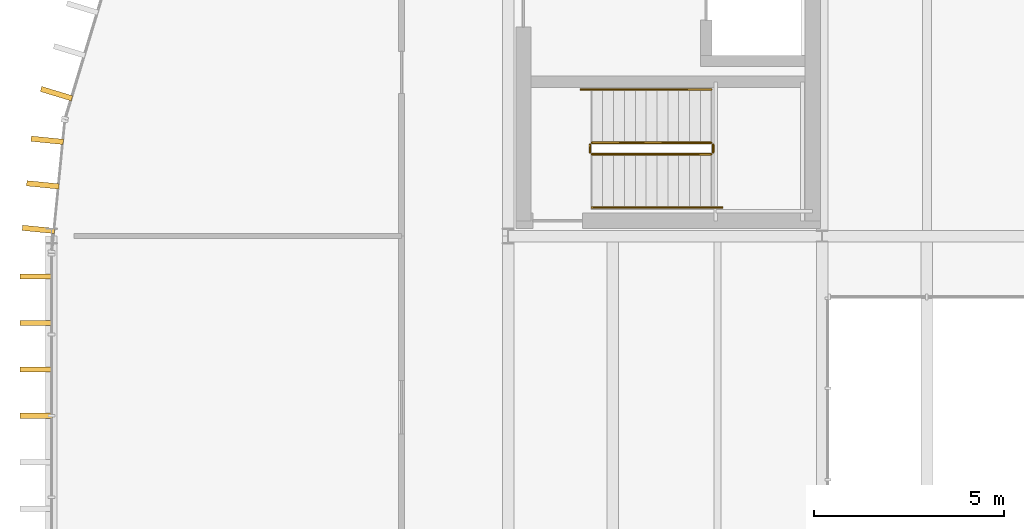
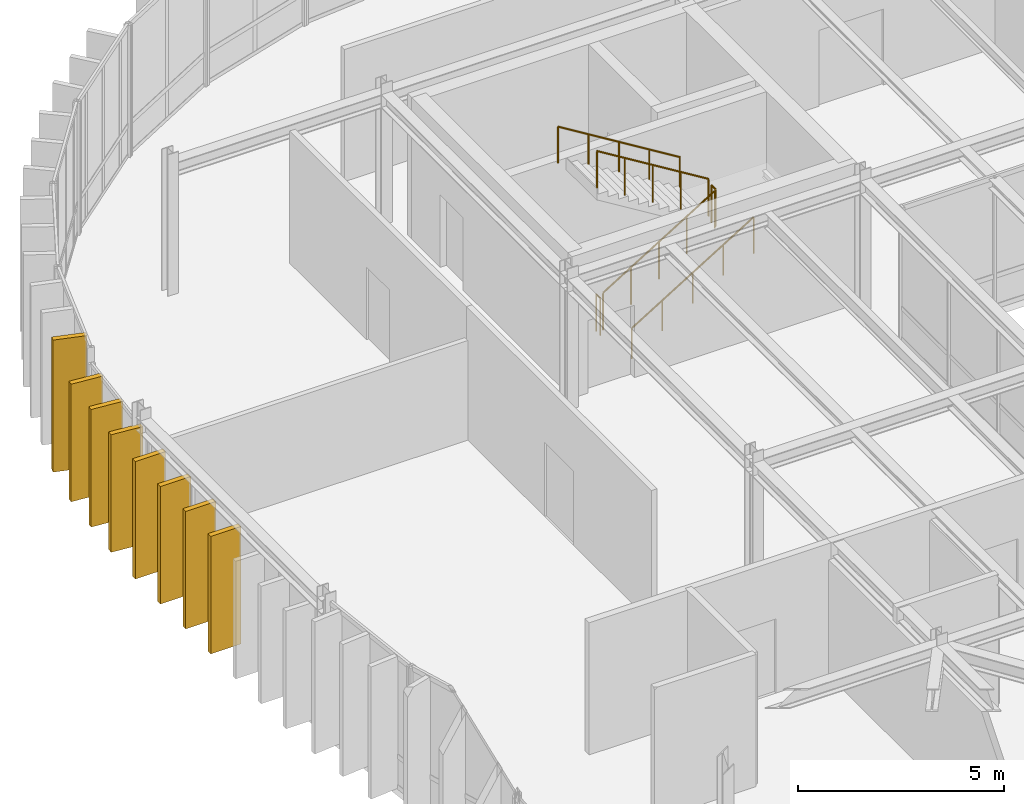
# One storey, part 24 of 27: 8 coverings, 6 railings.
"""IFC4 building model written with IfcOpenShell, lengths in metres."""

from ifc_helpers import new_model, si_unit, direction, frame, origin, origin_2d, place, context, subcontext, project, spatial, rectangle, circle, extrude, material, layer, layer_set, type_object, element, save


model = new_model("IFC4")

# Units and contexts
model_context = context("Model", 3, precision=1e-05, world=origin(), true_north=direction((0.0, 1.0)))
body_context = subcontext(model_context, "Body", "Model", "MODEL_VIEW")
ifc_project = project(units=[si_unit("LENGTHUNIT", "METRE"), si_unit("AREAUNIT", "SQUARE_METRE"), si_unit("VOLUMEUNIT", "CUBIC_METRE"), si_unit("PLANEANGLEUNIT", "RADIAN"), si_unit("MASSUNIT", "GRAM", prefix="KILO")], contexts=[model_context])

# Site, building, storey
site_placement = place(None, origin())
site = spatial("IfcSite", under=ifc_project, at=site_placement, CompositionType="ELEMENT")
building_placement = place(site_placement, origin())
building = spatial("IfcBuilding", under=site, at=building_placement, Name="Montealbar Specialist Clinic", CompositionType="ELEMENT")
storey_placement = place(building_placement, frame((0.0, 0.0, 18.0)))
storey = spatial("IfcBuildingStorey", under=building, at=storey_placement, Name="L04", CompositionType="ELEMENT", Elevation=18.0)

# Coverings
ifc_material_1 = material(Name="Thermally modified timber cladding", Category="wood")
ifc_layer_1 = layer(ifc_material_1, 0.139892578125, Name="Thermally modified timber cladding", Category="wood")
ifc_layer_set_1 = layer_set([ifc_layer_1], Name="Thermally modified timber cladding")
covering_type = type_object("IfcCoveringType", Name="COV-FIN-TIMBER-850", PredefinedType="CLADDING", material=ifc_layer_set_1)
for number, where, z_axis, x_axis, name in (
    (1, (53.60009765625, 22.27490234375, 0.0), (0.0, 0.0, 1.0), (-1.0, 0.0, 0.0), "Vertical Timber Solar Fin CF-L04-0278"),
    (2, (53.60009765625, 23.49609375, 0.0), (0.0, 0.0, 1.0), (-1.0, 0.0, 0.0), "Vertical Timber Solar Fin CF-L04-0279"),
    (3, (53.60009765625, 24.718017578125, 0.0), (0.0, 0.0, 1.0), (-1.0, 0.0, 0.0), "Vertical Timber Solar Fin CF-L04-0280"),
    (4, (53.60009765625, 25.93896484375, 0.0), (0.0, 0.0, 1.0), (-1.0, 0.0, 0.0), "Vertical Timber Solar Fin CF-L04-0281"),
    (5, (53.659912109375, 27.175048828125, 0.0), (0.0, 0.0, 1.0), (-0.995182012183, 0.098044697094, 0.0), "Vertical Timber Solar Fin CF-L04-0282"),
    (6, (53.77490234375, 28.344970703125, 0.0), (0.0, 0.0, 1.0), (-0.995182012183, 0.098044697094, 0.0), "Vertical Timber Solar Fin CF-L04-0283"),
    (7, (53.889892578125, 29.51611328125, 0.0), (0.0, 0.0, 1.0), (-0.995182012183, 0.098044697094, 0.0), "Vertical Timber Solar Fin CF-L04-0284"),
):
    element("IfcCovering", number, at=place(storey_placement, frame(where, z_axis=z_axis, x_axis=x_axis)), inside=storey, type_object=covering_type, Name=name, PredefinedType="CLADDING", context=body_context, shape_type="SweptSolid", body=[
        extrude(rectangle(XDim=0.85009765625, YDim=0.139892578125, at=origin_2d()), origin(), (0.0, 0.0, 1.0), 3.489990234375),
    ])
covering_placement = place(storey_placement, frame((54.134033203125, 30.740966796875, 0.0), z_axis=(0.0, 0.0, 1.0), x_axis=(-0.956948083701, 0.290259134399, 0.0)))
element("IfcCovering", 8, at=covering_placement, inside=storey, type_object=covering_type, Name="Vertical Timber Solar Fin CF-L04-0285", PredefinedType="CLADDING", context=body_context, shape_type="SweptSolid", body=[
    extrude(rectangle(XDim=0.85009765625, YDim=0.139892578125, at=origin_2d()), origin(), (0.0, 0.0, 1.0), 3.919921875),
])

# Railings
ifc_material_2 = material(Name="Steel S355", Category="steel")
ifc_layer_2 = layer(ifc_material_2, 0.050048828125, Name="Steel S355", Category="steel")
ifc_layer_set_2 = layer_set([ifc_layer_2], Name="Steel S355")
railing_type_1 = type_object("IfcRailingType", Name="RAIL-STAIR-BAL-1100", PredefinedType="BALUSTRADE", material=ifc_layer_set_2)
railing_1_placement = place(storey_placement, frame((68.199951171875, 29.14990234375, 0.175048828125)))
element("IfcRailing", 9, at=railing_1_placement, inside=storey, type_object=railing_type_1, Name="L04 ST-03 stair guard 1", PredefinedType="BALUSTRADE", context=body_context, shape_type="SweptSolid", body=[
    extrude(circle(Radius=0.02392578125, at=origin_2d()), frame((0.0, 0.0, 1.076171875), z_axis=(0.852166034122, 0.0, 0.523271488128), x_axis=(0.0, 1.0, 0.0)), (0.0, 0.0, 1.0), 3.678955078125),
    extrude(circle(Radius=0.02099609375, at=origin_2d()), frame((0.0, 0.0, -0.02490234375)), (0.0, 0.0, 1.0), 1.076904296875),
    extrude(circle(Radius=0.02099609375, at=origin_2d()), frame((0.78369140625, 0.0, 0.456298828125)), (0.0, 0.0, 1.0), 1.076904296875),
    extrude(circle(Radius=0.02099609375, at=origin_2d()), frame((1.5673828125, 0.0, 0.9375)), (0.0, 0.0, 1.0), 1.076904296875),
    extrude(circle(Radius=0.02099609375, at=origin_2d()), frame((2.351318359375, 0.0, 1.418701171875)), (0.0, 0.0, 1.0), 1.076904296875),
    extrude(circle(Radius=0.02099609375, at=origin_2d()), frame((3.135009765625, 0.0, 1.900146484375)), (0.0, 0.0, 1.0), 1.076904296875),
])
railing_2_placement = place(storey_placement, frame((71.385009765625, 29.199951171875, 2.10009765625)))
element("IfcRailing", 10, at=railing_2_placement, inside=storey, type_object=railing_type_1, Name="L04 ST-03 stair guard 2", PredefinedType="BALUSTRADE", context=body_context, shape_type="SweptSolid", body=[
    extrude(circle(Radius=0.02392578125, at=origin_2d()), frame((0.0, 0.0, 1.076171875), z_axis=(0.0, 1.0, 0.0), x_axis=(-1.0, 0.0, 0.0)), (0.0, 0.0, 1.0), 0.199951171875),
    extrude(circle(Radius=0.02099609375, at=origin_2d()), frame((0.0, 0.0, -0.02490234375)), (0.0, 0.0, 1.0), 1.076904296875),
    extrude(circle(Radius=0.02099609375, at=origin_2d()), frame((0.0, 0.199951171875, -0.02490234375)), (0.0, 0.0, 1.0), 1.076904296875),
])
railing_3_placement = place(storey_placement, frame((71.3349609375, 29.449951171875, 2.27490234375)))
element("IfcRailing", 11, at=railing_3_placement, inside=storey, type_object=railing_type_1, Name="L04 ST-03 stair guard 3", PredefinedType="BALUSTRADE", context=body_context, shape_type="SweptSolid", body=[
    extrude(circle(Radius=0.02392578125, at=origin_2d()), frame((0.0, 0.0, 1.076171875), z_axis=(-0.852166034122, 0.0, 0.523271488128), x_axis=(0.0, -1.0, 0.0)), (0.0, 0.0, 1.0), 3.678955078125),
    extrude(circle(Radius=0.02099609375, at=origin_2d()), frame((0.0, 0.0, -0.02490234375)), (0.0, 0.0, 1.0), 1.076904296875),
    extrude(circle(Radius=0.02099609375, at=origin_2d()), frame((-0.78369140625, 0.0, 0.456298828125)), (0.0, 0.0, 1.0), 1.076904296875),
    extrude(circle(Radius=0.02099609375, at=origin_2d()), frame((-1.5673828125, 0.0, 0.9375)), (0.0, 0.0, 1.0), 1.076904296875),
    extrude(circle(Radius=0.02099609375, at=origin_2d()), frame((-2.351318359375, 0.0, 1.418701171875)), (0.0, 0.0, 1.0), 1.076904296875),
    extrude(circle(Radius=0.02099609375, at=origin_2d()), frame((-3.135009765625, 0.0, 1.900146484375)), (0.0, 0.0, 1.0), 1.076904296875),
])
railing_4_placement = place(storey_placement, frame((68.14990234375, 29.199951171875, 0.0)))
element("IfcRailing", 12, at=railing_4_placement, inside=storey, type_object=railing_type_1, Name="L04 ST-03 stair guard 4", PredefinedType="BALUSTRADE", context=body_context, shape_type="SweptSolid", body=[
    extrude(circle(Radius=0.02392578125, at=origin_2d()), frame((0.0, 0.0, 1.076171875), z_axis=(0.0, 1.0, 0.0), x_axis=(-1.0, 0.0, 0.0)), (0.0, 0.0, 1.0), 0.199951171875),
    extrude(circle(Radius=0.02099609375, at=origin_2d()), frame((0.0, 0.0, -0.02490234375)), (0.0, 0.0, 1.0), 1.076904296875),
    extrude(circle(Radius=0.02099609375, at=origin_2d()), frame((0.0, 0.199951171875, -0.02490234375)), (0.0, 0.0, 1.0), 1.076904296875),
])
ifc_layer_3 = layer(ifc_material_2, 0.044921875, Name="Steel S355", Category="steel")
ifc_layer_set_3 = layer_set([ifc_layer_3], Name="Steel S355")
railing_type_2 = type_object("IfcRailingType", Name="RAIL-STAIR-HR-900", PredefinedType="HANDRAIL", material=ifc_layer_set_3)
railing_5_placement = place(storey_placement, frame((68.199951171875, 27.75, 0.175048828125)))
element("IfcRailing", 13, at=railing_5_placement, inside=storey, type_object=railing_type_2, Name="L04 ST-03 stair handrail 1", PredefinedType="HANDRAIL", context=body_context, shape_type="SweptSolid", body=[
    extrude(circle(Radius=0.02392578125, at=origin_2d()), frame((0.0, 0.0, 0.8759765625), z_axis=(0.852198826108, 0.0, 0.523218081473), x_axis=(0.0, 1.0, 0.0)), (0.0, 0.0, 1.0), 4.013427734375),
    extrude(circle(Radius=0.02099609375, at=origin_2d()), frame((0.0, 0.0, -0.02490234375)), (0.0, 0.0, 1.0), 0.876708984375),
    extrude(circle(Radius=0.02099609375, at=origin_2d()), frame((0.85498046875, 0.0, 0.5)), (0.0, 0.0, 1.0), 0.876708984375),
    extrude(circle(Radius=0.02099609375, at=origin_2d()), frame((1.7099609375, 0.0, 1.02490234375)), (0.0, 0.0, 1.0), 0.876708984375),
    extrude(circle(Radius=0.02099609375, at=origin_2d()), frame((2.565185546875, 0.0, 1.5498046875)), (0.0, 0.0, 1.0), 0.876708984375),
    extrude(circle(Radius=0.02099609375, at=origin_2d()), frame((3.420166015625, 0.0, 1.89990234375)), (0.0, 0.0, 1.0), 1.0517578125),
])
railing_6_placement = place(storey_placement, frame((71.3349609375, 30.85009765625, 2.27490234375)))
element("IfcRailing", 14, at=railing_6_placement, inside=storey, type_object=railing_type_2, Name="L04 ST-03 stair handrail 2", PredefinedType="HANDRAIL", context=body_context, shape_type="SweptSolid", body=[
    extrude(circle(Radius=0.02392578125, at=origin_2d()), frame((0.0, 0.0, 0.8759765625), z_axis=(-0.852155044755, 0.0, 0.523289384279), x_axis=(0.0, -1.0, 0.0)), (0.0, 0.0, 1.0), 4.01318359375),
    extrude(circle(Radius=0.02099609375, at=origin_2d()), frame((0.0, 0.0, -0.02490234375)), (0.0, 0.0, 1.0), 0.876708984375),
    extrude(circle(Radius=0.02099609375, at=origin_2d()), frame((-0.85498046875, 0.0, 0.5)), (0.0, 0.0, 1.0), 0.876708984375),
    extrude(circle(Radius=0.02099609375, at=origin_2d()), frame((-1.7099609375, 0.0, 1.025146484375)), (0.0, 0.0, 1.0), 0.876708984375),
    extrude(circle(Radius=0.02099609375, at=origin_2d()), frame((-2.56494140625, 0.0, 1.550048828125)), (0.0, 0.0, 1.0), 0.876708984375),
    extrude(circle(Radius=0.02099609375, at=origin_2d()), frame((-3.419921875, 0.0, 1.900146484375)), (0.0, 0.0, 1.0), 1.0517578125),
])

save(model, "model.ifc")
